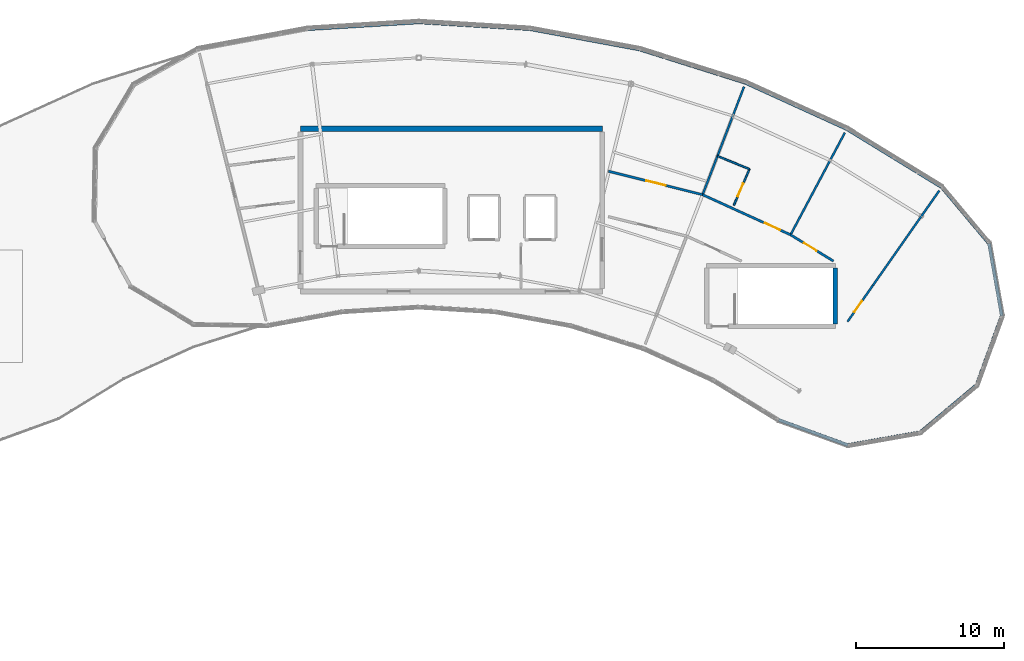
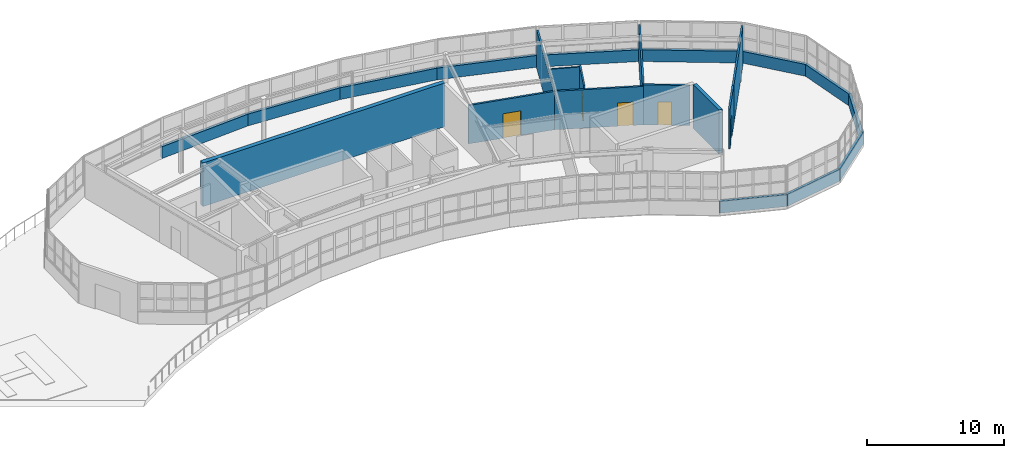
# One storey, part 25 of 26: 23 walls, 5 doors, 5 openings.
"""IFC4 building model written with IfcOpenShell, lengths in metres."""

from ifc_helpers import new_model, si_unit, direction, frame, frame_2d, origin, place, context, subcontext, project, spatial, rectangle, extrude, material, layer, layer_set, type_object, element, fill, save


model = new_model("IFC4")

# Units and contexts
model_context = context("Model", 3, precision=1e-05, world=origin(), true_north=direction((0.0, 1.0)))
body_context = subcontext(model_context, "Body", "Model", "MODEL_VIEW")
ifc_project = project(units=[si_unit("LENGTHUNIT", "METRE"), si_unit("AREAUNIT", "SQUARE_METRE"), si_unit("VOLUMEUNIT", "CUBIC_METRE"), si_unit("PLANEANGLEUNIT", "RADIAN"), si_unit("MASSUNIT", "GRAM", prefix="KILO")], contexts=[model_context])

# Site, building, storey
site_placement = place(None, origin())
site = spatial("IfcSite", under=ifc_project, at=site_placement, CompositionType="ELEMENT")
building_placement = place(site_placement, origin())
building = spatial("IfcBuilding", under=site, at=building_placement, Name="Tarnwether General Hospital", CompositionType="ELEMENT")
storey_placement = place(building_placement, frame((0.0, 0.0, 30.0)))
storey = spatial("IfcBuildingStorey", under=building, at=storey_placement, Name="L07", CompositionType="ELEMENT", Elevation=30.0)

# Walls
ifc_material_1 = material(Name="Streamlined white enamelled aluminium", Category="aluminium")
ifc_layer_1 = layer(ifc_material_1, 0.219970703125)
ifc_layer_set_1 = layer_set([ifc_layer_1], Name="Streamlined white enamelled aluminium")
wall_type_1 = type_object("IfcWallType", Name="WL-EX220", PredefinedType="STANDARD", material=ifc_layer_set_1)
wall_1_placement = place(storey_placement, frame((120.989013671875, 96.031982421875, 0.0), z_axis=(0.0, 0.0, 1.0), x_axis=(-0.939654190044, 0.34212571247, 0.0)))
element("IfcWall", 1, at=wall_1_placement, inside=storey, type_object=wall_type_1, Name="Ward NW Streamlined White Spandrel EW-L07-0141", PredefinedType="STANDARD", context=body_context, shape_type="SweptSolid", body=[
    extrude(rectangle(XDim=4.96875, YDim=0.219970703125, at=frame_2d((2.484375, 0.0))), origin(), (0.0, 0.0, 1.0), 1.050048828125),
])
wall_2_placement = place(storey_placement, frame((125.883056640625, 96.89501953125, 0.0), z_axis=(0.0, 0.0, 1.0), x_axis=(-0.984804817938, -0.173664822479, 0.0)))
element("IfcWall", 2, at=wall_2_placement, inside=storey, type_object=wall_type_1, Name="Ward NW Streamlined White Spandrel EW-L07-0142", PredefinedType="STANDARD", context=body_context, shape_type="SweptSolid", body=[
    extrude(rectangle(XDim=4.969482421875, YDim=0.219970703125, at=frame_2d((2.48486328125, 0.0))), origin(), (0.0, 0.0, 1.0), 1.050048828125),
])
wall_3_placement = place(storey_placement, frame((129.68994140625, 100.090087890625, 0.0), z_axis=(0.0, 0.0, 1.0), x_axis=(-0.765973821879, -0.642871763415, 0.0)))
element("IfcWall", 3, at=wall_3_placement, inside=storey, type_object=wall_type_1, Name="Ward NW Streamlined White Spandrel EW-L07-0143", PredefinedType="STANDARD", context=body_context, shape_type="SweptSolid", body=[
    extrude(rectangle(XDim=4.969970703125, YDim=0.219970703125, at=frame_2d((2.48486328125, 0.0))), origin(), (0.0, 0.0, 1.0), 1.050048828125),
])
wall_4_placement = place(storey_placement, frame((131.388916015625, 104.759033203125, 0.0), z_axis=(0.0, 0.0, 1.0), x_axis=(-0.341952160632, -0.939717361678, 0.0)))
element("IfcWall", 4, at=wall_4_placement, inside=storey, type_object=wall_type_1, Name="Ward NW Streamlined White Spandrel EW-L07-0144", PredefinedType="STANDARD", context=body_context, shape_type="SweptSolid", body=[
    extrude(rectangle(XDim=4.968505859375, YDim=0.219970703125, at=frame_2d((2.484375, 0.0))), origin(), (0.0, 0.0, 1.0), 1.050048828125),
])
wall_5_placement = place(storey_placement, frame((130.527099609375, 109.653076171875, 0.0), z_axis=(0.0, 0.0, 1.0), x_axis=(0.173426579259, -0.984846801085, 0.0)))
element("IfcWall", 5, at=wall_5_placement, inside=storey, type_object=wall_type_1, Name="Ward NW Streamlined White Spandrel EW-L07-0145", PredefinedType="STANDARD", context=body_context, shape_type="SweptSolid", body=[
    extrude(rectangle(XDim=4.96923828125, YDim=0.219970703125, at=frame_2d((2.484619140625, 0.0))), origin(), (0.0, 0.0, 1.0), 1.050048828125),
])
wall_6_placement = place(storey_placement, frame((127.33203125, 113.4599609375, 0.0), z_axis=(0.0, 0.0, 1.0), x_axis=(0.642871763415, -0.765973821879, 0.0)))
element("IfcWall", 6, at=wall_6_placement, inside=storey, type_object=wall_type_1, Name="Ward NW Streamlined White Spandrel EW-L07-0146", PredefinedType="STANDARD", context=body_context, shape_type="SweptSolid", body=[
    extrude(rectangle(XDim=4.969970703125, YDim=0.219970703125, at=frame_2d((2.48486328125, 0.0))), origin(), (0.0, 0.0, 1.0), 1.050048828125),
])
wall_7_placement = place(storey_placement, frame((120.9189453125, 117.389892578125, 0.0), z_axis=(0.0, 0.0, 1.0), x_axis=(0.852640903338, -0.522497358803, 0.0)))
element("IfcWall", 7, at=wall_7_placement, inside=storey, type_object=wall_type_1, Name="Ward NW Streamlined White Spandrel EW-L07-0147", PredefinedType="STANDARD", context=body_context, shape_type="SweptSolid", body=[
    extrude(rectangle(XDim=7.521484375, YDim=0.219970703125, at=frame_2d((3.7607421875, 0.0))), origin(), (0.0, 0.0, 1.0), 1.050048828125),
])
wall_8_placement = place(storey_placement, frame((114.074951171875, 120.509033203125, 0.0), z_axis=(0.0, 0.0, 1.0), x_axis=(0.909953604353, -0.414710064895, 0.0)))
element("IfcWall", 8, at=wall_8_placement, inside=storey, type_object=wall_type_1, Name="Ward NW Streamlined White Spandrel EW-L07-0148", PredefinedType="STANDARD", context=body_context, shape_type="SweptSolid", body=[
    extrude(rectangle(XDim=7.521240234375, YDim=0.219970703125, at=frame_2d((3.7607421875, 0.0))), origin(), (0.0, 0.0, 1.0), 1.050048828125),
])
wall_9_placement = place(storey_placement, frame((106.902099609375, 122.77001953125, 0.0), z_axis=(0.0, 0.0, 1.0), x_axis=(0.953740021466, -0.300632618747, 0.0)))
element("IfcWall", 9, at=wall_9_placement, inside=storey, type_object=wall_type_1, Name="Ward NW Streamlined White Spandrel EW-L07-0149", PredefinedType="STANDARD", context=body_context, shape_type="SweptSolid", body=[
    extrude(rectangle(XDim=7.520751953125, YDim=0.219970703125, at=frame_2d((3.76025390625, 0.0))), origin(), (0.0, 0.0, 1.0), 1.050048828125),
])
for number, where, z_axis, x_axis, name in (
    (10, (99.507080078125, 124.14111328125, 0.0), (0.0, 0.0, 1.0), (0.983242805192, -0.18230081195, 0.0), "Ward NW Streamlined White Spandrel EW-L07-0150"),
    (11, (92.0, 124.60009765625, 0.0), (0.0, 0.0, 1.0), (0.99813616181, -0.061026244242, 0.0), "Ward NW Streamlined White Spandrel EW-L07-0151"),
    (12, (84.492919921875, 124.14111328125, 0.0), (0.0, 0.0, 1.0), (0.99813616181, 0.061026244242, 0.0), "Ward NW Streamlined White Spandrel EW-L07-0152"),
):
    element("IfcWall", number, at=place(storey_placement, frame(where, z_axis=z_axis, x_axis=x_axis)), inside=storey, type_object=wall_type_1, Name=name, PredefinedType="STANDARD", context=body_context, shape_type="SweptSolid", body=[
        extrude(rectangle(XDim=7.52099609375, YDim=0.219970703125, at=frame_2d((3.760498046875, 0.0))), origin(), (0.0, 0.0, 1.0), 1.050048828125),
    ])

# Wall, opening, door
ifc_material_2 = material(Name="Gypsum plasterboard")
ifc_layer_2 = layer(ifc_material_2, 0.1201171875)
ifc_layer_set_2 = layer_set([ifc_layer_2], Name="Gypsum plasterboard")
wall_type_2 = type_object("IfcWallType", Name="WL-PT120", PredefinedType="PARTITIONING", material=ifc_layer_set_2)
wall_10_placement = place(storey_placement, frame((113.285888671875, 112.236083984375, 0.0), z_axis=(0.0, 0.0, 1.0), x_axis=(0.396798265053, 0.917905843129, 0.0)))
wall_10 = element("IfcWall", 13, at=wall_10_placement, inside=storey, type_object=wall_type_2, Name="Interior Partition PT-L07-0521", PredefinedType="PARTITIONING", context=body_context, shape_type="SweptSolid", body=[
    extrude(rectangle(XDim=2.6591796875, YDim=0.1201171875, at=frame_2d((1.32958984375, 0.0))), origin(), (0.0, 0.0, 1.0), 3.570068359375),
])
opening_1_placement = place(wall_10_placement, frame((0.64990234375, 0.0, 0.0)))
opening_1 = element("IfcOpeningElement", 14, at=opening_1_placement, cuts=wall_10, Name="Opening D-10", PredefinedType="OPENING", context=body_context, shape_type="SweptSolid", body=[
    extrude(rectangle(XDim=0.9599609375, YDim=2.06005859375, at=frame_2d((0.47998046875, 1.030029296875))), frame((0.0, 0.070068359375, 0.0), z_axis=(0.0, -1.0, 0.0), x_axis=(1.0, 0.0, 0.0)), (0.0, 0.0, 1.0), 0.14013671875),
])
ifc_material_3 = material(Name="Anodised aluminium", Category="aluminium")
door_type_1 = type_object("IfcDoorType", Name="DR-IN10", OperationType="NOTDEFINED", PredefinedType="DOOR", material=ifc_material_3)
door_1_placement = place(opening_1_placement, origin())
door_1 = element("IfcDoor", 15, at=door_1_placement, inside=storey, type_object=door_type_1, Name="Interior Door DR-L07-0289", OperationType="SINGLE_SWING_LEFT", OverallHeight=2.06005859375, OverallWidth=0.9599609375, PredefinedType="DOOR", context=body_context, shape_type="SweptSolid", body=[
    extrude(rectangle(XDim=0.9599609375, YDim=2.06005859375, at=frame_2d((0.47998046875, 1.030029296875))), frame((0.0, 0.02490234375, 0.0), z_axis=(0.0, -1.0, 0.0), x_axis=(1.0, 0.0, 0.0)), (0.0, 0.0, 1.0), 0.050048828125),
])
fill(opening_1, door_1)

# Walls
wall_11_placement = place(storey_placement, frame((112.176025390625, 115.56103515625, 0.0), z_axis=(0.0, 0.0, 1.0), x_axis=(0.925796200481, -0.378023008789, 0.0)))
element("IfcWall", 16, at=wall_11_placement, inside=storey, type_object=wall_type_2, Name="Interior Partition PT-L07-0522", PredefinedType="PARTITIONING", context=body_context, shape_type="SweptSolid", body=[
    extrude(rectangle(XDim=2.338623046875, YDim=0.1201171875, at=frame_2d((1.16943359375, 0.0))), origin(), (0.0, 0.0, 1.0), 3.427978515625),
])
ifc_material_4 = material(Name="Gypsum plasterboard")
ifc_layer_3 = layer(ifc_material_4, 0.139892578125)
ifc_layer_set_3 = layer_set([ifc_layer_3], Name="Gypsum plasterboard")
wall_type_3 = type_object("IfcWallType", Name="WL-PT140", PredefinedType="PARTITIONING", material=ifc_layer_set_3)
wall_12_placement = place(storey_placement, frame((111.173095703125, 112.947021484375, 0.0), z_axis=(0.0, 0.0, 1.0), x_axis=(0.358342954102, 0.933590020965, 0.0)))
element("IfcWall", 17, at=wall_12_placement, inside=storey, type_object=wall_type_3, Name="Interior Partition PT-L07-0518", PredefinedType="PARTITIONING", context=body_context, shape_type="SweptSolid", body=[
    extrude(rectangle(XDim=7.8193359375, YDim=0.139892578125, at=frame_2d((3.90966796875, 0.0))), origin(), (0.0, 0.0, 1.0), 3.427978515625),
])
wall_13_placement = place(storey_placement, frame((117.116943359375, 110.238037109375, 0.0), z_axis=(0.0, 0.0, 1.0), x_axis=(0.469490767167, 0.88293738144, 0.0)))
element("IfcWall", 18, at=wall_13_placement, inside=storey, type_object=wall_type_3, Name="Interior Partition PT-L07-0524", PredefinedType="PARTITIONING", context=body_context, shape_type="SweptSolid", body=[
    extrude(rectangle(XDim=7.8193359375, YDim=0.139892578125, at=frame_2d((3.90966796875, 0.0))), origin(), (0.0, 0.0, 1.0), 3.430908203125),
])
wall_14_placement = place(storey_placement, frame((122.68603515625, 106.824951171875, 0.0), z_axis=(0.0, 0.0, 1.0), x_axis=(0.573682336084, 0.819077882295, 0.0)))
element("IfcWall", 19, at=wall_14_placement, inside=storey, type_object=wall_type_3, Name="Interior Partition PT-L07-0527", PredefinedType="PARTITIONING", context=body_context, shape_type="SweptSolid", body=[
    extrude(rectangle(XDim=7.81982421875, YDim=0.139892578125, at=frame_2d((3.909912109375, 0.0))), origin(), (0.0, 0.0, 1.0), 3.48193359375),
])

# Wall, opening, door
wall_15_placement = place(storey_placement, frame((120.966064453125, 104.366943359375, 0.0), z_axis=(0.0, 0.0, 1.0), x_axis=(0.573320330817, 0.819331311663, 0.0)))
wall_15 = element("IfcWall", 20, at=wall_15_placement, inside=storey, type_object=wall_type_3, Name="Interior Partition PT-L07-0531", PredefinedType="PARTITIONING", context=body_context, shape_type="SweptSolid", body=[
    extrude(rectangle(XDim=3.0, YDim=0.139892578125, at=frame_2d((1.5, 0.0))), origin(), (0.0, 0.0, 1.0), 3.570068359375),
])
opening_2_placement = place(wall_15_placement, frame((0.800048828125, 0.0, 0.0)))
opening_2 = element("IfcOpeningElement", 21, at=opening_2_placement, cuts=wall_15, Name="Opening D-11", PredefinedType="OPENING", context=body_context, shape_type="SweptSolid", body=[
    extrude(rectangle(XDim=0.89990234375, YDim=2.10009765625, at=frame_2d((0.449951171875, 1.050048828125))), frame((0.0, 0.080078125, 0.0), z_axis=(0.0, -1.0, 0.0), x_axis=(1.0, 0.0, 0.0)), (0.0, 0.0, 1.0), 0.159912109375),
])
ifc_material_5 = material(Name="Anodised aluminium", Category="aluminium")
door_type_2 = type_object("IfcDoorType", Name="DR-IN11", OperationType="NOTDEFINED", PredefinedType="DOOR", material=ifc_material_5)
door_2_placement = place(opening_2_placement, origin())
door_2 = element("IfcDoor", 22, at=door_2_placement, inside=storey, type_object=door_type_2, Name="Interior Door DR-L07-0294", OperationType="SINGLE_SWING_RIGHT", OverallHeight=2.10009765625, OverallWidth=0.89990234375, PredefinedType="DOOR", context=body_context, shape_type="SweptSolid", body=[
    extrude(rectangle(XDim=0.89990234375, YDim=2.10009765625, at=frame_2d((0.449951171875, 1.050048828125))), frame((0.0, 0.02490234375, 0.0), z_axis=(0.0, -1.0, 0.0), x_axis=(1.0, 0.0, 0.0)), (0.0, 0.0, 1.0), 0.050048828125),
])
fill(opening_2, door_2)

ifc_material_6 = material(Name="Gypsum plasterboard")
ifc_layer_4 = layer(ifc_material_6, 0.159912109375)
ifc_layer_set_4 = layer_set([ifc_layer_4], Name="Gypsum plasterboard")
wall_type_4 = type_object("IfcWallType", Name="WL-PT160", PredefinedType="PARTITIONING", material=ifc_layer_set_4)
wall_16_placement = place(storey_placement, frame((104.81005859375, 114.532958984375, 0.0), z_axis=(0.0, 0.0, 1.0), x_axis=(0.970315261497, -0.241843530625, 0.0)))
wall_16 = element("IfcWall", 23, at=wall_16_placement, inside=storey, type_object=wall_type_4, Name="Interior Partition PT-L07-0517", PredefinedType="PARTITIONING", context=body_context, shape_type="SweptSolid", body=[
    extrude(rectangle(XDim=6.5576171875, YDim=0.159912109375, at=frame_2d((3.27880859375, 0.0))), origin(), (0.0, 0.0, 1.0), 3.425048828125),
])
opening_3_placement = place(wall_16_placement, frame((2.62890625, 0.0, 0.0)))
opening_3 = element("IfcOpeningElement", 24, at=opening_3_placement, cuts=wall_16, Name="Opening D-02", PredefinedType="OPENING", context=body_context, shape_type="SweptSolid", body=[
    extrude(rectangle(XDim=1.360107421875, YDim=2.179931640625, at=frame_2d((0.68017578125, 1.08984375))), frame((0.0, 0.08984375, 0.0), z_axis=(0.0, -1.0, 0.0), x_axis=(1.0, 0.0, 0.0)), (0.0, 0.0, 1.0), 0.179931640625),
])
ifc_material_7 = material(Name="Anodised aluminium", Category="aluminium")
door_type_3 = type_object("IfcDoorType", Name="DR-IN02", OperationType="NOTDEFINED", PredefinedType="DOOR", material=ifc_material_7)
door_3_placement = place(opening_3_placement, origin())
door_3 = element("IfcDoor", 25, at=door_3_placement, inside=storey, type_object=door_type_3, Name="Interior Door DR-L07-0287", OperationType="SINGLE_SWING_LEFT", OverallHeight=2.179931640625, OverallWidth=1.360107421875, PredefinedType="DOOR", context=body_context, shape_type="SweptSolid", body=[
    extrude(rectangle(XDim=1.360107421875, YDim=2.179931640625, at=frame_2d((0.68017578125, 1.08984375))), frame((0.0, 0.02490234375, 0.0), z_axis=(0.0, -1.0, 0.0), x_axis=(1.0, 0.0, 0.0)), (0.0, 0.0, 1.0), 0.050048828125),
])
fill(opening_3, door_3)

wall_17_placement = place(storey_placement, frame((111.173095703125, 112.947021484375, 0.0), z_axis=(0.0, 0.0, 1.0), x_axis=(0.909948737979, -0.414720742488, 0.0)))
wall_17 = element("IfcWall", 26, at=wall_17_placement, inside=storey, type_object=wall_type_4, Name="Interior Partition PT-L07-0523", PredefinedType="PARTITIONING", context=body_context, shape_type="SweptSolid", body=[
    extrude(rectangle(XDim=6.531982421875, YDim=0.159912109375, at=frame_2d((3.26611328125, 0.0))), origin(), (0.0, 0.0, 1.0), 3.427978515625),
])
opening_4_placement = place(wall_17_placement, frame((4.632080078125, 0.0, 0.0)))
opening_4 = element("IfcOpeningElement", 27, at=opening_4_placement, cuts=wall_17, Name="Opening D-07", PredefinedType="OPENING", context=body_context, shape_type="SweptSolid", body=[
    extrude(rectangle(XDim=1.1201171875, YDim=2.080078125, at=frame_2d((0.56005859375, 1.0400390625))), frame((0.0, 0.08984375, 0.0), z_axis=(0.0, -1.0, 0.0), x_axis=(1.0, 0.0, 0.0)), (0.0, 0.0, 1.0), 0.179931640625),
])
ifc_material_8 = material(Name="Anodised aluminium", Category="aluminium")
door_type_4 = type_object("IfcDoorType", Name="DR-IN07", OperationType="NOTDEFINED", PredefinedType="DOOR", material=ifc_material_8)
door_4_placement = place(opening_4_placement, origin())
door_4 = element("IfcDoor", 28, at=door_4_placement, inside=storey, type_object=door_type_4, Name="Interior Door DR-L07-0290", OperationType="SINGLE_SWING_RIGHT", OverallHeight=2.080078125, OverallWidth=1.1201171875, PredefinedType="DOOR", context=body_context, shape_type="SweptSolid", body=[
    extrude(rectangle(XDim=1.1201171875, YDim=2.080078125, at=frame_2d((0.56005859375, 1.0400390625))), frame((0.0, 0.02490234375, 0.0), z_axis=(0.0, -1.0, 0.0), x_axis=(1.0, 0.0, 0.0)), (0.0, 0.0, 1.0), 0.050048828125),
])
fill(opening_4, door_4)

wall_18_placement = place(storey_placement, frame((117.116943359375, 110.238037109375, 0.0), z_axis=(0.0, 0.0, 1.0), x_axis=(0.852605377196, -0.522555327957, 0.0)))
wall_18 = element("IfcWall", 29, at=wall_18_placement, inside=storey, type_object=wall_type_4, Name="Interior Partition PT-L07-0526", PredefinedType="PARTITIONING", context=body_context, shape_type="SweptSolid", body=[
    extrude(rectangle(XDim=3.402587890625, YDim=0.159912109375, at=frame_2d((1.701171875, 0.0))), origin(), (0.0, 0.0, 1.0), 3.570068359375),
])
opening_5_placement = place(wall_18_placement, frame((1.051025390625, 0.0, 0.0)))
opening_5 = element("IfcOpeningElement", 30, at=opening_5_placement, cuts=wall_18, Name="Opening D-09", PredefinedType="OPENING", context=body_context, shape_type="SweptSolid", body=[
    extrude(rectangle(XDim=1.02001953125, YDim=2.080078125, at=frame_2d((0.510009765625, 1.0400390625))), frame((0.0, 0.08984375, 0.0), z_axis=(0.0, -1.0, 0.0), x_axis=(1.0, 0.0, 0.0)), (0.0, 0.0, 1.0), 0.179931640625),
])
ifc_material_9 = material(Name="Anodised aluminium", Category="aluminium")
door_type_5 = type_object("IfcDoorType", Name="DR-IN09", OperationType="NOTDEFINED", PredefinedType="DOOR", material=ifc_material_9)
door_5_placement = place(opening_5_placement, origin())
door_5 = element("IfcDoor", 31, at=door_5_placement, inside=storey, type_object=door_type_5, Name="Interior Door DR-L07-0292", OperationType="SINGLE_SWING_RIGHT", OverallHeight=2.080078125, OverallWidth=1.02001953125, PredefinedType="DOOR", context=body_context, shape_type="SweptSolid", body=[
    extrude(rectangle(XDim=1.02001953125, YDim=2.080078125, at=frame_2d((0.510009765625, 1.0400390625))), frame((0.0, 0.02490234375, 0.0), z_axis=(0.0, -1.0, 0.0), x_axis=(1.0, 0.0, 0.0)), (0.0, 0.0, 1.0), 0.050048828125),
])
fill(opening_5, door_5)

# Walls
ifc_material_10 = material(Name="Concrete 50 MPa", Category="concrete")
ifc_layer_5 = layer(ifc_material_10, 0.300048828125)
ifc_layer_set_5 = layer_set([ifc_layer_5], Name="Concrete 50 MPa")
wall_type_5 = type_object("IfcWallType", Name="WL-SW300", PredefinedType="SHEAR", material=ifc_layer_set_5)
wall_19_placement = place(storey_placement, frame((120.14990234375, 104.219970703125, 0.0), z_axis=(0.0, 0.0, 1.0), x_axis=(0.0, 1.0, 0.0)))
element("IfcWall", 32, at=wall_19_placement, inside=storey, type_object=wall_type_5, Name="Stairwell Shear Wall STW-ST-08-L07-F", PredefinedType="SHEAR", context=body_context, shape_type="SweptSolid", body=[
    extrude(rectangle(XDim=3.760009765625, YDim=0.300048828125, at=frame_2d((1.8798828125, 0.0))), origin(), (0.0, 0.0, 1.0), 3.89990234375),
])
ifc_material_11 = material(Name="Concrete 50 MPa", Category="concrete")
ifc_layer_6 = layer(ifc_material_11, 0.35009765625)
ifc_layer_set_6 = layer_set([ifc_layer_6], Name="Concrete 50 MPa")
wall_type_6 = type_object("IfcWallType", Name="WL-SW350", PredefinedType="SHEAR", material=ifc_layer_set_6)
wall_20_placement = place(storey_placement, frame((84.0, 117.39990234375, 0.0), z_axis=(0.0, 0.0, 1.0), x_axis=(1.0, 0.0, 0.0)))
element("IfcWall", 33, at=wall_20_placement, inside=storey, type_object=wall_type_6, Name="Core Shear Wall CWALL-K1-L07-N", PredefinedType="SHEAR", context=body_context, shape_type="SweptSolid", body=[
    extrude(rectangle(XDim=20.39990234375, YDim=0.35009765625, at=frame_2d((10.199951171875, 0.0))), origin(), (0.0, 0.0, 1.0), 3.89990234375),
])

save(model, "model.ifc")
